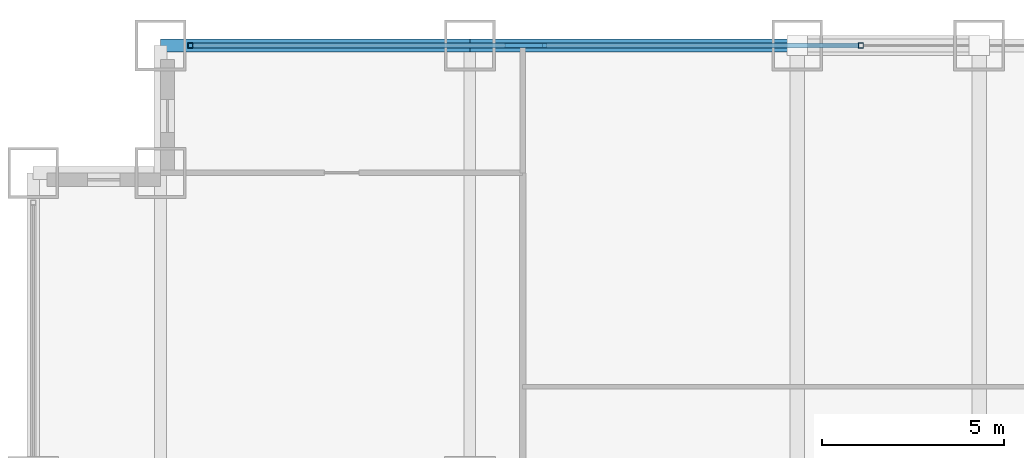
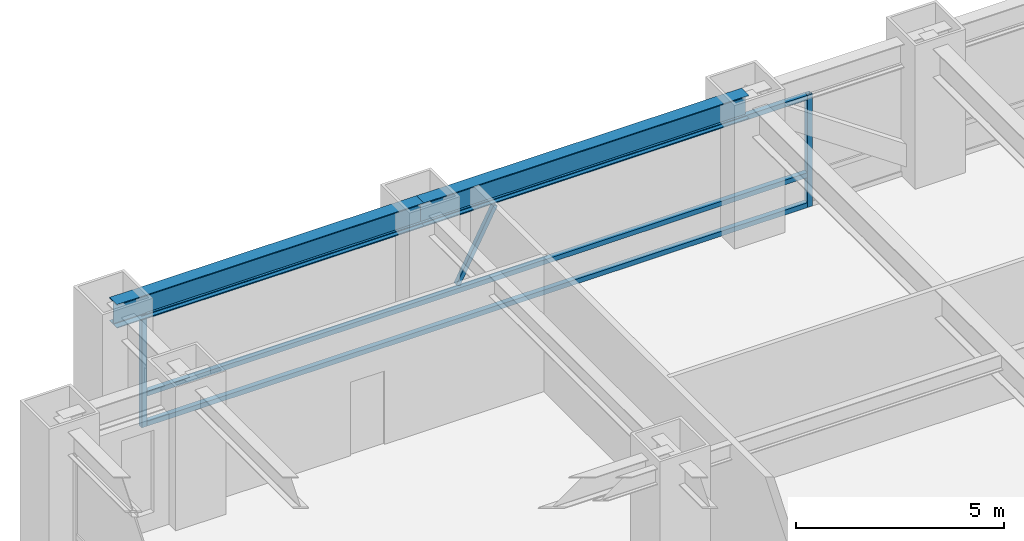
# One storey, part 19 of 27: 6 members, 2 beams, 1 element without a shape of its own.
"""IFC4 building model written with IfcOpenShell, lengths in metres."""

from ifc_helpers import new_model, si_unit, direction, frame, origin, origin_2d, place, context, subcontext, project, spatial, hollow_rectangle, i_section, extrude, source, transform, mapped, material, material_profile, profile_set, type_object, element, aggregate, save


model = new_model("IFC4")

# Units and contexts
model_context = context("Model", 3, precision=1e-05, world=origin(), true_north=direction((0.0, 1.0)))
body_context = subcontext(model_context, "Body", "Model", "MODEL_VIEW")
ifc_project = project(units=[si_unit("LENGTHUNIT", "METRE"), si_unit("AREAUNIT", "SQUARE_METRE"), si_unit("VOLUMEUNIT", "CUBIC_METRE"), si_unit("PLANEANGLEUNIT", "RADIAN"), si_unit("MASSUNIT", "GRAM", prefix="KILO")], contexts=[model_context])

# Site, building, storey
site_placement = place(None, origin())
site = spatial("IfcSite", under=ifc_project, at=site_placement, CompositionType="ELEMENT")
building_placement = place(site_placement, origin())
building = spatial("IfcBuilding", under=site, at=building_placement, Name="Khorayat Bourse Tower", CompositionType="ELEMENT")
storey_placement = place(building_placement, frame((0.0, 0.0, 49.39990234375)))
storey = spatial("IfcBuildingStorey", under=building, at=storey_placement, Name="L10", CompositionType="ELEMENT", Elevation=49.39990234375)

# Beams
ifc_material_1 = material(Name="Steel ASTM A992 Grade 50", Category="steel")
ifc_material_profile_1 = material_profile(ifc_material_1, i_section(OverallWidth=0.35498046875, OverallDepth=0.695068359375, WebThickness=0.015380859375, FlangeThickness=0.02490234375, FilletRadius=0.01806640625, at=origin_2d()), Name="W690X217")
ifc_profile_set_1 = profile_set([ifc_material_profile_1], Name="Steel ASTM A992 Grade 50")
beam_type = type_object("IfcBeamType", Name="BM-SPAN-690", PredefinedType="SPANDREL", material=ifc_profile_set_1)
shared_shape_1 = source(origin(), body_context, "Body", "SweptSolid", [
    extrude(i_section(OverallWidth=0.35498046875, OverallDepth=0.695068359375, WebThickness=0.015380859375, FlangeThickness=0.02490234375, FilletRadius=0.01806640625, at=origin_2d()), origin(), (0.0, 0.0, 1.0), 8.5),
])
beam_1_placement = place(storey_placement, frame((-28.5, 32.0, 3.592529296875), z_axis=(1.0, 0.0, 0.0), x_axis=(0.0, 1.0, 0.0)))
element("IfcBeam", 1, at=beam_1_placement, inside=storey, type_object=beam_type, Name="L10 BM-SPAN-690 BM-L10-SPN-051", PredefinedType="SPANDREL", context=body_context, shape_type="MappedRepresentation", body=[
    mapped(shared_shape_1, transform((0.0, 0.0, 0.0), scale=1.0)),
])
shared_shape_2 = source(origin(), body_context, "Body", "SweptSolid", [
    extrude(i_section(OverallWidth=0.35498046875, OverallDepth=0.695068359375, WebThickness=0.015380859375, FlangeThickness=0.02490234375, FilletRadius=0.01806640625, at=origin_2d()), origin(), (0.0, 0.0, 1.0), 9.0),
])
beam_2_placement = place(storey_placement, frame((-20.0, 32.0, 3.592529296875), z_axis=(1.0, 0.0, 0.0), x_axis=(0.0, 1.0, 0.0)))
element("IfcBeam", 2, at=beam_2_placement, inside=storey, type_object=beam_type, Name="L10 BM-SPAN-690 BM-L10-SPN-050", PredefinedType="SPANDREL", context=body_context, shape_type="MappedRepresentation", body=[
    mapped(shared_shape_2, transform((0.0, 0.0, 0.0), scale=1.0)),
])

# Curtain wall, members
ifc_material_2 = material(Name="Aluminium EN AW-6063 T6", Category="aluminium")
curtain_wall_type = type_object("IfcCurtainWallType", Name="CW-SYS-02", PredefinedType="NOTDEFINED", material=ifc_material_2)
curtain_wall_placement = place(storey_placement, origin())
curtain_wall = element("IfcCurtainWall", 3, at=curtain_wall_placement, inside=storey, type_object=curtain_wall_type, Name="L10 Curtain Wall CW-L10-N1", PredefinedType="NOTDEFINED")
ifc_material_profile_2 = material_profile(ifc_material_2, hollow_rectangle(XDim=0.139892578125, YDim=0.139892578125, WallThickness=0.006103515625, at=origin_2d()), Name="ALU 140x140x6")
ifc_profile_set_2 = profile_set([ifc_material_profile_2], Name="Aluminium EN AW-6063 T6")
member_type_1 = type_object("IfcMemberType", Name="CWT-HORZ-140", PredefinedType="USERDEFINED", material=ifc_profile_set_2)
shared_shape_3 = source(origin(), body_context, "Body", "SweptSolid", [
    extrude(hollow_rectangle(XDim=0.139892578125, YDim=0.139892578125, WallThickness=0.006103515625, at=origin_2d()), origin(), (0.0, 0.0, 1.0), 18.2900390625),
])
member_1_placement = place(storey_placement, frame((-27.610107421875, 32.0, 0.070068359375), z_axis=(1.0, 0.0, 0.0), x_axis=(0.0, 1.0, 0.0)))
member_1 = element("IfcMember", 4, at=member_1_placement, type_object=member_type_1, Name="CW-L10-N1 Horizontal Transom 1-1", ObjectType="TRANSOM", PredefinedType="USERDEFINED", context=body_context, shape_type="MappedRepresentation", body=[
    mapped(shared_shape_3, transform((0.0, 0.0, 0.0), scale=1.0)),
])
member_2_placement = place(storey_placement, frame((-27.610107421875, 32.0, 0.9501953125), z_axis=(1.0, 0.0, 0.0), x_axis=(0.0, 1.0, 0.0)))
member_2 = element("IfcMember", 5, at=member_2_placement, type_object=member_type_1, Name="CW-L10-N1 Horizontal Transom 1-2", ObjectType="TRANSOM", PredefinedType="USERDEFINED", context=body_context, shape_type="MappedRepresentation", body=[
    mapped(shared_shape_3, transform((0.0, 0.0, 0.0), scale=1.0)),
])
member_3_placement = place(storey_placement, frame((-27.610107421875, 32.0, 3.22021484375), z_axis=(1.0, 0.0, 0.0), x_axis=(0.0, 1.0, 0.0)))
member_3 = element("IfcMember", 6, at=member_3_placement, type_object=member_type_1, Name="CW-L10-N1 Horizontal Transom 1-3", ObjectType="TRANSOM", PredefinedType="USERDEFINED", context=body_context, shape_type="MappedRepresentation", body=[
    mapped(shared_shape_3, transform((0.0, 0.0, 0.0), scale=1.0)),
])
ifc_material_profile_3 = material_profile(ifc_material_2, hollow_rectangle(XDim=0.1201171875, YDim=0.1201171875, WallThickness=0.0048828125, at=origin_2d()), Name="ALU 120x120x5")
ifc_profile_set_3 = profile_set([ifc_material_profile_3], Name="Aluminium EN AW-6063 T6")
member_type_2 = type_object("IfcMemberType", Name="CWM-DIAG-120", PredefinedType="MULLION", material=ifc_profile_set_3)
shared_shape_4 = source(origin(), body_context, "Body", "SweptSolid", [
    extrude(hollow_rectangle(XDim=0.1201171875, YDim=0.1201171875, WallThickness=0.0048828125, at=origin_2d()), origin(), (0.0, 0.0, 1.0), 2.22607421875),
])
member_4_placement = place(storey_placement, frame((-18.9833984375, 32.0, 1.10009765625), z_axis=(0.465759992596, 0.0, 0.884911085532), x_axis=(0.0, 1.0, 0.0)))
member_4 = element("IfcMember", 7, at=member_4_placement, type_object=member_type_2, Name="CW-L10-N1 Faceted Diagonal Mullion 1", PredefinedType="MULLION", context=body_context, shape_type="MappedRepresentation", body=[
    mapped(shared_shape_4, transform((0.0, 0.0, 0.0), scale=1.0)),
])
ifc_material_profile_4 = material_profile(ifc_material_2, hollow_rectangle(XDim=0.139892578125, YDim=0.139892578125, WallThickness=0.006103515625, at=origin_2d()), Name="ALU 140x140x6")
ifc_profile_set_4 = profile_set([ifc_material_profile_4], Name="Aluminium EN AW-6063 T6")
member_type_3 = type_object("IfcMemberType", Name="CWM-VERT-140", PredefinedType="MULLION", material=ifc_profile_set_4)
shared_shape_5 = source(origin(), body_context, "Body", "SweptSolid", [
    extrude(hollow_rectangle(XDim=0.139892578125, YDim=0.139892578125, WallThickness=0.006103515625, at=origin_2d()), origin(), (0.0, 0.0, 1.0), 3.2900390625),
])
member_5_placement = place(storey_placement, frame((-27.679931640625, 32.0, 0.0), z_axis=(0.0, 0.0, 1.0), x_axis=(0.0, 1.0, 0.0)))
member_5 = element("IfcMember", 8, at=member_5_placement, type_object=member_type_3, Name="CW-L10-N1 Vertical Mullion 1", PredefinedType="MULLION", context=body_context, shape_type="MappedRepresentation", body=[
    mapped(shared_shape_5, transform((0.0, 0.0, 0.0), scale=1.0)),
])
member_6_placement = place(storey_placement, frame((-9.25, 32.0, 0.0), z_axis=(0.0, 0.0, 1.0), x_axis=(0.0, 1.0, 0.0)))
member_6 = element("IfcMember", 9, at=member_6_placement, type_object=member_type_3, Name="CW-L10-N1 Vertical Mullion 2", PredefinedType="MULLION", context=body_context, shape_type="MappedRepresentation", body=[
    mapped(shared_shape_5, transform((0.0, 0.0, 0.0), scale=1.0)),
])
aggregate(curtain_wall, [member_5, member_6, member_1, member_2, member_3, member_4])

save(model, "model.ifc")
